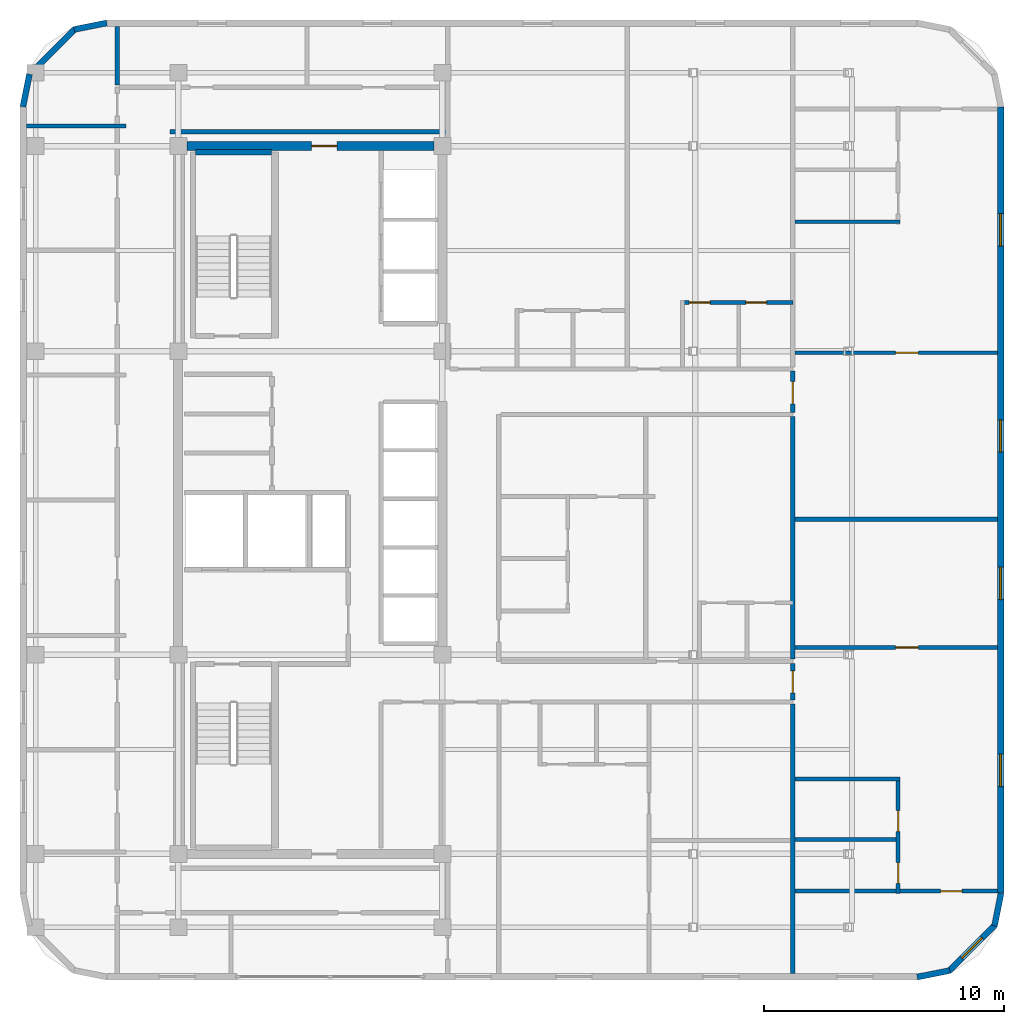
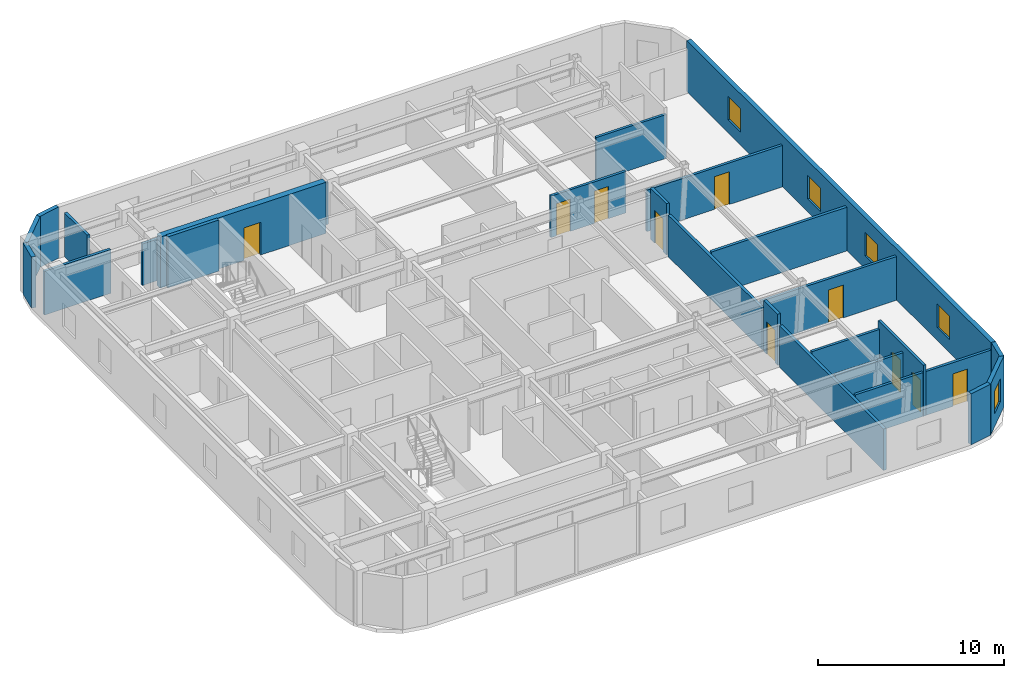
# One storey, part 7 of 9: 25 walls, 10 doors, 5 windows, 15 openings.
"""IFC4 building model written with IfcOpenShell, lengths in metres."""

from ifc_helpers import new_model, si_unit, direction, frame, frame_2d, origin, place, context, subcontext, project, spatial, rectangle, extrude, material, layer, layer_set, type_object, element, fill, save


model = new_model("IFC4")

# Units and contexts
model_context = context("Model", 3, precision=1e-05, world=origin(), true_north=direction((0.0, 1.0)))
body_context = subcontext(model_context, "Body", "Model", "MODEL_VIEW")
ifc_project = project(units=[si_unit("LENGTHUNIT", "METRE"), si_unit("AREAUNIT", "SQUARE_METRE"), si_unit("VOLUMEUNIT", "CUBIC_METRE"), si_unit("PLANEANGLEUNIT", "RADIAN"), si_unit("MASSUNIT", "GRAM", prefix="KILO")], contexts=[model_context])

# Site, building, storey
site_placement = place(None, origin())
site = spatial("IfcSite", under=ifc_project, at=site_placement, CompositionType="ELEMENT")
building_placement = place(site_placement, origin())
building = spatial("IfcBuilding", under=site, at=building_placement, Name="Ochreholt Gables", CompositionType="ELEMENT")
storey_placement = place(building_placement, frame((0.0, 0.0, 162.60009765625)))
storey = spatial("IfcBuildingStorey", under=building, at=storey_placement, Name="L42", CompositionType="ELEMENT", Elevation=162.60009765625)

# Wall, opening, door
ifc_material_1 = material(Name="Concrete 50 MPa", Category="concrete")
ifc_layer_1 = layer(ifc_material_1, 0.3798828125, Name="Concrete 50 MPa")
ifc_layer_set_1 = layer_set([ifc_layer_1], Name="Concrete 50 MPa")
wall_type_1 = type_object("IfcWallType", Name="WALL-CSW-380", PredefinedType="SHEAR", material=ifc_layer_set_1)
wall_1_placement = place(storey_placement, frame((24.550048828125, 38.75, 0.0), z_axis=(0.0, 0.0, 1.0), x_axis=(1.0, 0.0, 0.0)))
wall_1 = element("IfcWall", 1, at=wall_1_placement, inside=storey, type_object=wall_type_1, Name="L42 Core North Shear Wall", PredefinedType="SHEAR", context=body_context, shape_type="SweptSolid", body=[
    extrude(rectangle(XDim=10.300048828125, YDim=0.3798828125, at=frame_2d((5.14990234375, 0.0))), origin(), (0.0, 0.0, 1.0), 3.35986328125),
])
opening_1_placement = place(wall_1_placement, frame((5.199951171875, 0.0, 0.0)))
opening_1 = element("IfcOpeningElement", 2, at=opening_1_placement, cuts=wall_1, Name="Opening D-FLB", PredefinedType="OPENING", context=body_context, shape_type="SweptSolid", body=[
    extrude(rectangle(XDim=1.050048828125, YDim=2.14990234375, at=frame_2d((0.52490234375, 1.074951171875))), frame((0.0, 0.199951171875, 0.0), z_axis=(0.0, -1.0, 0.0), x_axis=(1.0, 0.0, 0.0)), (0.0, 0.0, 1.0), 0.39990234375),
])
ifc_material_2 = material(Name="Hollow Metal Steel", Category="steel")
door_type_1 = type_object("IfcDoorType", Name="DR-INT-FLB1050", OperationType="NOTDEFINED", PredefinedType="DOOR", material=ifc_material_2)
door_1_placement = place(opening_1_placement, frame((1.050048828125, 0.0, 0.0), z_axis=(0.0, 0.0, 1.0), x_axis=(-1.0, 0.0, 0.0)))
door_1 = element("IfcDoor", 3, at=door_1_placement, inside=storey, type_object=door_type_1, Name="L42 Door D-C2CRN-L42", OperationType="SINGLE_SWING_RIGHT", OverallHeight=2.14990234375, OverallWidth=1.050048828125, PredefinedType="DOOR", context=body_context, shape_type="SweptSolid", body=[
    extrude(rectangle(XDim=1.050048828125, YDim=2.14990234375, at=frame_2d((0.52490234375, 1.074951171875))), frame((0.0, 0.02490234375, 0.0), z_axis=(0.0, -1.0, 0.0), x_axis=(1.0, 0.0, 0.0)), (0.0, 0.0, 1.0), 0.050048828125),
])
fill(opening_1, door_1)

# Wall, openings, windows
ifc_material_3 = material(Name="Precast concrete 40 MPa", Category="concrete")
ifc_layer_2 = layer(ifc_material_3, 0.280029296875, Name="Precast concrete 40 MPa")
ifc_layer_set_2 = layer_set([ifc_layer_2], Name="Precast concrete 40 MPa")
wall_type_2 = type_object("IfcWallType", Name="WALL-EXT-280", PredefinedType="SOLIDWALL", material=ifc_layer_set_2)
wall_2_placement = place(storey_placement, frame((58.4599609375, 7.6201171875, 0.0), z_axis=(0.0, 0.0, 1.0), x_axis=(0.0, 1.0, 0.0)))
wall_2 = element("IfcWall", 4, at=wall_2_placement, inside=storey, type_object=wall_type_2, Name="L42 East Exterior Wall", PredefinedType="SOLIDWALL", context=body_context, shape_type="SweptSolid", body=[
    extrude(rectangle(XDim=32.759765625, YDim=0.280029296875, at=frame_2d((16.3798828125, 0.0))), origin(), (0.0, 0.0, 1.0), 3.35986328125),
])
opening_2_placement = place(wall_2_placement, frame((4.440185546875, 0.0, 0.85009765625)))
opening_2 = element("IfcOpeningElement", 5, at=opening_2_placement, cuts=wall_2, Name="Opening WN-8", PredefinedType="OPENING", context=body_context, shape_type="SweptSolid", body=[
    extrude(rectangle(XDim=1.35009765625, YDim=1.550048828125, at=frame_2d((0.675048828125, 0.77490234375))), frame((0.0, 0.14990234375, 0.0), z_axis=(0.0, -1.0, 0.0), x_axis=(1.0, 0.0, 0.0)), (0.0, 0.0, 1.0), 0.300048828125),
])
opening_3_placement = place(wall_2_placement, frame((12.230224609375, 0.0, 0.85009765625)))
opening_3 = element("IfcOpeningElement", 6, at=opening_3_placement, cuts=wall_2, Name="Opening WN-8", PredefinedType="OPENING", context=body_context, shape_type="SweptSolid", body=[
    extrude(rectangle(XDim=1.35009765625, YDim=1.550048828125, at=frame_2d((0.675048828125, 0.77490234375))), frame((0.0, 0.14990234375, 0.0), z_axis=(0.0, -1.0, 0.0), x_axis=(1.0, 0.0, 0.0)), (0.0, 0.0, 1.0), 0.300048828125),
])
opening_4_placement = place(wall_2_placement, frame((18.37255859375, 0.0, 0.85009765625)))
opening_4 = element("IfcOpeningElement", 7, at=opening_4_placement, cuts=wall_2, Name="Opening WN-8", PredefinedType="OPENING", context=body_context, shape_type="SweptSolid", body=[
    extrude(rectangle(XDim=1.35009765625, YDim=1.550048828125, at=frame_2d((0.675048828125, 0.77490234375))), frame((0.0, 0.14990234375, 0.0), z_axis=(0.0, -1.0, 0.0), x_axis=(1.0, 0.0, 0.0)), (0.0, 0.0, 1.0), 0.300048828125),
])
opening_5_placement = place(wall_2_placement, frame((26.962646484375, 0.0, 0.85009765625)))
opening_5 = element("IfcOpeningElement", 8, at=opening_5_placement, cuts=wall_2, Name="Opening WN-8", PredefinedType="OPENING", context=body_context, shape_type="SweptSolid", body=[
    extrude(rectangle(XDim=1.35009765625, YDim=1.550048828125, at=frame_2d((0.675048828125, 0.77490234375))), frame((0.0, 0.14990234375, 0.0), z_axis=(0.0, -1.0, 0.0), x_axis=(1.0, 0.0, 0.0)), (0.0, 0.0, 1.0), 0.300048828125),
])
ifc_material_4 = material(Name="Triple-Glazed Thermally Broken Aluminium Window", Category="aluminium")
window_type_1 = type_object("IfcWindowType", Name="WIN-RES-1350", PartitioningType="SINGLE_PANEL", PredefinedType="WINDOW", material=ifc_material_4)
window_1_placement = place(opening_2_placement, origin())
window_1 = element("IfcWindow", 9, at=window_1_placement, inside=storey, type_object=window_type_1, Name="L42 Window W-EXT-E-L42-1", OverallHeight=1.550048828125, OverallWidth=1.35009765625, PartitioningType="SINGLE_PANEL", PredefinedType="WINDOW", context=body_context, shape_type="SweptSolid", body=[
    extrude(rectangle(XDim=1.35009765625, YDim=1.550048828125, at=frame_2d((0.675048828125, 0.77490234375))), frame((0.0, 0.030029296875, 0.0), z_axis=(0.0, -1.0, 0.0), x_axis=(1.0, 0.0, 0.0)), (0.0, 0.0, 1.0), 0.06005859375),
])
fill(opening_2, window_1)
window_2_placement = place(opening_3_placement, origin())
window_2 = element("IfcWindow", 10, at=window_2_placement, inside=storey, type_object=window_type_1, Name="L42 Window W-EXT-E-L42-2", OverallHeight=1.550048828125, OverallWidth=1.35009765625, PartitioningType="SINGLE_PANEL", PredefinedType="WINDOW", context=body_context, shape_type="SweptSolid", body=[
    extrude(rectangle(XDim=1.35009765625, YDim=1.550048828125, at=frame_2d((0.675048828125, 0.77490234375))), frame((0.0, 0.030029296875, 0.0), z_axis=(0.0, -1.0, 0.0), x_axis=(1.0, 0.0, 0.0)), (0.0, 0.0, 1.0), 0.06005859375),
])
fill(opening_3, window_2)
window_3_placement = place(opening_4_placement, origin())
window_3 = element("IfcWindow", 11, at=window_3_placement, inside=storey, type_object=window_type_1, Name="L42 Window W-EXT-E-L42-3", OverallHeight=1.550048828125, OverallWidth=1.35009765625, PartitioningType="SINGLE_PANEL", PredefinedType="WINDOW", context=body_context, shape_type="SweptSolid", body=[
    extrude(rectangle(XDim=1.35009765625, YDim=1.550048828125, at=frame_2d((0.675048828125, 0.77490234375))), frame((0.0, 0.030029296875, 0.0), z_axis=(0.0, -1.0, 0.0), x_axis=(1.0, 0.0, 0.0)), (0.0, 0.0, 1.0), 0.06005859375),
])
fill(opening_4, window_3)
window_4_placement = place(opening_5_placement, origin())
window_4 = element("IfcWindow", 12, at=window_4_placement, inside=storey, type_object=window_type_1, Name="L42 Window W-EXT-E-L42-4", OverallHeight=1.550048828125, OverallWidth=1.35009765625, PartitioningType="SINGLE_PANEL", PredefinedType="WINDOW", context=body_context, shape_type="SweptSolid", body=[
    extrude(rectangle(XDim=1.35009765625, YDim=1.550048828125, at=frame_2d((0.675048828125, 0.77490234375))), frame((0.0, 0.030029296875, 0.0), z_axis=(0.0, -1.0, 0.0), x_axis=(1.0, 0.0, 0.0)), (0.0, 0.0, 1.0), 0.06005859375),
])
fill(opening_5, window_4)

# Wall
ifc_layer_3 = layer(ifc_material_3, 0.25, Name="Precast concrete 40 MPa")
ifc_layer_set_3 = layer_set([ifc_layer_3], Name="Precast concrete 40 MPa")
wall_type_3 = type_object("IfcWallType", Name="WALL-EXT-CNR", PredefinedType="SOLIDWALL", material=ifc_layer_set_3)
wall_3_placement = place(storey_placement, frame((54.9833984375, 4.124267578125, 0.0), z_axis=(0.0, 0.0, 1.0), x_axis=(0.980809899341, 0.19496651342, 0.0)))
element("IfcWall", 13, at=wall_3_placement, inside=storey, type_object=wall_type_3, Name="L42 Rounded Corner Wall SE-1", PredefinedType="SOLIDWALL", context=body_context, shape_type="SweptSolid", body=[
    extrude(rectangle(XDim=1.388671875, YDim=0.25, at=frame_2d((0.6943359375, 0.0))), origin(), (0.0, 0.0, 1.0), 3.35986328125),
])

# Wall, opening, window
wall_4_placement = place(storey_placement, frame((56.294921875, 4.367919921875, 0.0), z_axis=(0.0, 0.0, 1.0), x_axis=(0.707106781187, 0.707106781187, 0.0)))
wall_4 = element("IfcWall", 14, at=wall_4_placement, inside=storey, type_object=wall_type_3, Name="L42 Rounded Corner Wall SE-2", PredefinedType="SOLIDWALL", context=body_context, shape_type="SweptSolid", body=[
    extrude(rectangle(XDim=2.7392578125, YDim=0.25, at=frame_2d((1.36962890625, 0.0))), origin(), (0.0, 0.0, 1.0), 3.35986328125),
])
opening_6_placement = place(wall_4_placement, frame((0.769775390625, 0.0, 0.85009765625)))
opening_6 = element("IfcOpeningElement", 15, at=opening_6_placement, cuts=wall_4, Name="Opening WN-3", PredefinedType="OPENING", context=body_context, shape_type="SweptSolid", body=[
    extrude(rectangle(XDim=1.199951171875, YDim=1.5, at=frame_2d((0.60009765625, 0.75))), frame((0.0, 0.135009765625, 0.0), z_axis=(0.0, -1.0, 0.0), x_axis=(1.0, 0.0, 0.0)), (0.0, 0.0, 1.0), 0.27001953125),
])
window_type_2 = type_object("IfcWindowType", Name="WIN-RES-1200", PartitioningType="SINGLE_PANEL", PredefinedType="WINDOW", material=ifc_material_4)
window_5_placement = place(opening_6_placement, origin())
window_5 = element("IfcWindow", 16, at=window_5_placement, inside=storey, type_object=window_type_2, Name="L42 Corner Bedroom Window SE", OverallHeight=1.5, OverallWidth=1.199951171875, PartitioningType="SINGLE_PANEL", PredefinedType="WINDOW", context=body_context, shape_type="SweptSolid", body=[
    extrude(rectangle(XDim=1.199951171875, YDim=1.5, at=frame_2d((0.60009765625, 0.75))), frame((0.0, 0.030029296875, 0.0), z_axis=(0.0, -1.0, 0.0), x_axis=(1.0, 0.0, 0.0)), (0.0, 0.0, 1.0), 0.06005859375),
])
fill(opening_6, window_5)

# Walls
for number, where, z_axis, x_axis, name in (
    (17, (58.205078125, 6.25439453125, 0.0), (0.0, 0.0, 1.0), (0.19496651342, 0.980809899341, 0.0), "L42 Rounded Corner Wall SE-3"),
    (18, (21.216552734375, 43.875732421875, 0.0), (0.0, 0.0, 1.0), (-0.980809899341, -0.19496651342, 0.0), "L42 Rounded Corner Wall NW-1"),
):
    element("IfcWall", number, at=place(storey_placement, frame(where, z_axis=z_axis, x_axis=x_axis)), inside=storey, type_object=wall_type_3, Name=name, PredefinedType="SOLIDWALL", context=body_context, shape_type="SweptSolid", body=[
        extrude(rectangle(XDim=1.388671875, YDim=0.25, at=frame_2d((0.6943359375, 0.0))), origin(), (0.0, 0.0, 1.0), 3.35986328125),
    ])
wall_5_placement = place(storey_placement, frame((19.905029296875, 43.632080078125, 0.0), z_axis=(0.0, 0.0, 1.0), x_axis=(-0.707106781187, -0.707106781187, 0.0)))
element("IfcWall", 19, at=wall_5_placement, inside=storey, type_object=wall_type_3, Name="L42 Rounded Corner Wall NW-2", PredefinedType="SOLIDWALL", context=body_context, shape_type="SweptSolid", body=[
    extrude(rectangle(XDim=2.7392578125, YDim=0.25, at=frame_2d((1.36962890625, 0.0))), origin(), (0.0, 0.0, 1.0), 3.35986328125),
])
wall_6_placement = place(storey_placement, frame((17.9951171875, 41.74560546875, 0.0), z_axis=(0.0, 0.0, 1.0), x_axis=(-0.195135625965, -0.9807762678, 0.0)))
element("IfcWall", 20, at=wall_6_placement, inside=storey, type_object=wall_type_3, Name="L42 Rounded Corner Wall NW-3", PredefinedType="SOLIDWALL", context=body_context, shape_type="SweptSolid", body=[
    extrude(rectangle(XDim=1.388671875, YDim=0.25, at=frame_2d((0.6943359375, 0.0))), origin(), (0.0, 0.0, 1.0), 3.35986328125),
])
ifc_material_5 = material(Name="Fire-Rated Gypsum Acoustic Partition", Category="gypsum")
ifc_layer_4 = layer(ifc_material_5, 0.179931640625, Name="Fire-Rated Gypsum Acoustic Partition")
ifc_layer_set_4 = layer_set([ifc_layer_4], Name="Fire-Rated Gypsum Acoustic Partition")
wall_type_4 = type_object("IfcWallType", Name="WALL-INT-CR180", PredefinedType="STANDARD", material=ifc_layer_set_4)
wall_7_placement = place(storey_placement, frame((23.85009765625, 39.35009765625, 0.0), z_axis=(0.0, 0.0, 1.0), x_axis=(1.0, 0.0, 0.0)))
element("IfcWall", 21, at=wall_7_placement, inside=storey, type_object=wall_type_4, Name="L42 Interior Wall WI-C2WCN2-L42", PredefinedType="STANDARD", context=body_context, shape_type="SweptSolid", body=[
    extrude(rectangle(XDim=11.56982421875, YDim=0.179931640625, at=frame_2d((5.784912109375, 0.0))), origin(), (0.0, 0.0, 1.0), 2.72998046875),
])

# Wall, opening, door
wall_8_placement = place(storey_placement, frame((49.800048828125, 15.669921875, 0.0), z_axis=(0.0, 0.0, 1.0), x_axis=(0.0, 1.0, 0.0)))
wall_8 = element("IfcWall", 22, at=wall_8_placement, inside=storey, type_object=wall_type_4, Name="L42 Interior Wall WI-C2SSE-L42", PredefinedType="STANDARD", context=body_context, shape_type="SweptSolid", body=[
    extrude(rectangle(XDim=1.52001953125, YDim=0.179931640625, at=frame_2d((0.760009765625, 0.0))), origin(), (0.0, 0.0, 1.0), 3.35986328125),
])
opening_7_placement = place(wall_8_placement, frame((0.2900390625, 0.0, 0.0)))
opening_7 = element("IfcOpeningElement", 23, at=opening_7_placement, cuts=wall_8, Name="Opening D-UN1", PredefinedType="OPENING", context=body_context, shape_type="SweptSolid", body=[
    extrude(rectangle(XDim=0.919921875, YDim=2.14990234375, at=frame_2d((0.4599609375, 1.074951171875))), frame((0.0, 0.099853515625, 0.0), z_axis=(0.0, -1.0, 0.0), x_axis=(1.0, 0.0, 0.0)), (0.0, 0.0, 1.0), 0.199951171875),
])
ifc_material_6 = material(Name="Engineered Oak Timber", Category="wood")
door_type_2 = type_object("IfcDoorType", Name="DR-INT-UNT920", OperationType="NOTDEFINED", PredefinedType="DOOR", material=ifc_material_6)
door_2_placement = place(opening_7_placement, origin())
door_2 = element("IfcDoor", 24, at=door_2_placement, inside=storey, type_object=door_type_2, Name="L42 Door D-U-L42FES-ENT", OperationType="SINGLE_SWING_LEFT", OverallHeight=2.14990234375, OverallWidth=0.919921875, PredefinedType="DOOR", context=body_context, shape_type="SweptSolid", body=[
    extrude(rectangle(XDim=0.919921875, YDim=2.14990234375, at=frame_2d((0.4599609375, 1.074951171875))), frame((0.0, 0.02490234375, 0.0), z_axis=(0.0, -1.0, 0.0), x_axis=(1.0, 0.0, 0.0)), (0.0, 0.0, 1.0), 0.050048828125),
])
fill(opening_7, door_2)

wall_9_placement = place(storey_placement, frame((49.800048828125, 27.64990234375, 0.0), z_axis=(0.0, 0.0, 1.0), x_axis=(0.0, 1.0, 0.0)))
wall_9 = element("IfcWall", 25, at=wall_9_placement, inside=storey, type_object=wall_type_4, Name="L42 Interior Wall WI-C2SNE-L42", PredefinedType="STANDARD", context=body_context, shape_type="SweptSolid", body=[
    extrude(rectangle(XDim=1.72021484375, YDim=0.179931640625, at=frame_2d((0.860107421875, 0.0))), origin(), (0.0, 0.0, 1.0), 3.35986328125),
])
opening_8_placement = place(wall_9_placement, frame((0.360107421875, 0.0, 0.0)))
opening_8 = element("IfcOpeningElement", 26, at=opening_8_placement, cuts=wall_9, Name="Opening D-UN1", PredefinedType="OPENING", context=body_context, shape_type="SweptSolid", body=[
    extrude(rectangle(XDim=0.919921875, YDim=2.14990234375, at=frame_2d((0.4599609375, 1.074951171875))), frame((0.0, 0.099853515625, 0.0), z_axis=(0.0, -1.0, 0.0), x_axis=(1.0, 0.0, 0.0)), (0.0, 0.0, 1.0), 0.199951171875),
])
door_3_placement = place(opening_8_placement, origin())
door_3 = element("IfcDoor", 27, at=door_3_placement, inside=storey, type_object=door_type_2, Name="L42 Door D-U-L42FEN-ENT", OperationType="SINGLE_SWING_RIGHT", OverallHeight=2.14990234375, OverallWidth=0.919921875, PredefinedType="DOOR", context=body_context, shape_type="SweptSolid", body=[
    extrude(rectangle(XDim=0.919921875, YDim=2.14990234375, at=frame_2d((0.4599609375, 1.074951171875))), frame((0.0, 0.02490234375, 0.0), z_axis=(0.0, -1.0, 0.0), x_axis=(1.0, 0.0, 0.0)), (0.0, 0.0, 1.0), 0.050048828125),
])
fill(opening_8, door_3)

# Walls
ifc_material_7 = material(Name="Double-Stud Acoustic Demising Wall", Category="gypsum")
ifc_layer_5 = layer(ifc_material_7, 0.179931640625, Name="Double-Stud Acoustic Demising Wall")
ifc_layer_set_5 = layer_set([ifc_layer_5], Name="Double-Stud Acoustic Demising Wall")
wall_type_5 = type_object("IfcWallType", Name="WALL-INT-DM180", PredefinedType="PARTITIONING", material=ifc_layer_set_5)
wall_10_placement = place(storey_placement, frame((21.64990234375, 41.2900390625, 0.0), z_axis=(0.0, 0.0, 1.0), x_axis=(0.0, 1.0, 0.0)))
element("IfcWall", 28, at=wall_10_placement, inside=storey, type_object=wall_type_5, Name="L42 Interior Wall WI-C2WWN-L42", PredefinedType="PARTITIONING", context=body_context, shape_type="SweptSolid", body=[
    extrude(rectangle(XDim=2.429931640625, YDim=0.179931640625, at=frame_2d((1.21484375, 0.0))), origin(), (0.0, 0.0, 1.0), 2.87890625),
])
wall_11_placement = place(storey_placement, frame((49.800048828125, 4.280029296875, 0.0), z_axis=(0.0, 0.0, 1.0), x_axis=(0.0, 1.0, 0.0)))
element("IfcWall", 29, at=wall_11_placement, inside=storey, type_object=wall_type_5, Name="L42 Interior Wall WI-C2FEW1-L42", PredefinedType="PARTITIONING", context=body_context, shape_type="SweptSolid", body=[
    extrude(rectangle(XDim=11.2099609375, YDim=0.179931640625, at=frame_2d((5.60498046875, 0.0))), origin(), (0.0, 0.0, 1.0), 2.72998046875),
])
wall_12_placement = place(storey_placement, frame((49.800048828125, 17.3701171875, 0.0), z_axis=(0.0, 0.0, 1.0), x_axis=(0.0, 1.0, 0.0)))
element("IfcWall", 30, at=wall_12_placement, inside=storey, type_object=wall_type_5, Name="L42 Interior Wall WI-C2FEW2-L42", PredefinedType="PARTITIONING", context=body_context, shape_type="SweptSolid", body=[
    extrude(rectangle(XDim=10.099853515625, YDim=0.179931640625, at=frame_2d((5.0498046875, 0.0))), origin(), (0.0, 0.0, 1.0), 2.72998046875),
])
wall_13_placement = place(storey_placement, frame((49.889892578125, 23.199951171875, 0.0), z_axis=(0.0, 0.0, 1.0), x_axis=(1.0, 0.0, 0.0)))
element("IfcWall", 31, at=wall_13_placement, inside=storey, type_object=wall_type_5, Name="L42 Interior Wall WI-C2FED-L42", PredefinedType="PARTITIONING", context=body_context, shape_type="SweptSolid", body=[
    extrude(rectangle(XDim=8.43017578125, YDim=0.179931640625, at=frame_2d((4.215087890625, 0.0))), origin(), (0.0, 0.0, 1.0), 2.87890625),
])

# Wall, openings, doors
ifc_material_8 = material(Name="Moisture-Resistant Plumbing Chase Wall", Category="gypsum")
ifc_layer_6 = layer(ifc_material_8, 0.159912109375, Name="Moisture-Resistant Plumbing Chase Wall")
ifc_layer_set_6 = layer_set([ifc_layer_6], Name="Moisture-Resistant Plumbing Chase Wall")
wall_type_6 = type_object("IfcWallType", Name="WALL-INT-PL160", PredefinedType="PLUMBINGWALL", material=ifc_layer_set_6)
wall_14_placement = place(storey_placement, frame((45.1298828125, 32.22998046875, 0.0), z_axis=(0.0, 0.0, 1.0), x_axis=(1.0, 0.0, 0.0)))
wall_14 = element("IfcWall", 32, at=wall_14_placement, inside=storey, type_object=wall_type_6, Name="L42 Interior Wall WU-L42N2-WY", PredefinedType="PLUMBINGWALL", context=body_context, shape_type="SweptSolid", body=[
    extrude(rectangle(XDim=4.670166015625, YDim=0.159912109375, at=frame_2d((2.3349609375, 0.0))), origin(), (0.0, 0.0, 1.0), 2.72998046875),
])
opening_9_placement = place(wall_14_placement, frame((0.35009765625, 0.0, 0.0)))
opening_9 = element("IfcOpeningElement", 33, at=opening_9_placement, cuts=wall_14, Name="Opening D-GN2", PredefinedType="OPENING", context=body_context, shape_type="SweptSolid", body=[
    extrude(rectangle(XDim=0.8798828125, YDim=2.1201171875, at=frame_2d((0.43994140625, 1.06005859375))), frame((0.0, 0.08984375, 0.0), z_axis=(0.0, -1.0, 0.0), x_axis=(1.0, 0.0, 0.0)), (0.0, 0.0, 1.0), 0.179931640625),
])
opening_10_placement = place(wall_14_placement, frame((2.719970703125, 0.0, 0.0)))
opening_10 = element("IfcOpeningElement", 34, at=opening_10_placement, cuts=wall_14, Name="Opening D-BT1", PredefinedType="OPENING", context=body_context, shape_type="SweptSolid", body=[
    extrude(rectangle(XDim=0.860107421875, YDim=2.1201171875, at=frame_2d((0.43017578125, 1.06005859375))), frame((0.0, 0.08984375, 0.0), z_axis=(0.0, -1.0, 0.0), x_axis=(1.0, 0.0, 0.0)), (0.0, 0.0, 1.0), 0.179931640625),
])
door_type_3 = type_object("IfcDoorType", Name="DR-INT-BTH860", OperationType="NOTDEFINED", PredefinedType="DOOR", material=ifc_material_6)
door_4_placement = place(opening_10_placement, origin())
door_4 = element("IfcDoor", 35, at=door_4_placement, inside=storey, type_object=door_type_3, Name="L42 Door D-U-L42N2-BTH", OperationType="SINGLE_SWING_RIGHT", OverallHeight=2.1201171875, OverallWidth=0.860107421875, PredefinedType="DOOR", context=body_context, shape_type="SweptSolid", body=[
    extrude(rectangle(XDim=0.860107421875, YDim=2.1201171875, at=frame_2d((0.43017578125, 1.06005859375))), frame((0.0, 0.02490234375, 0.0), z_axis=(0.0, -1.0, 0.0), x_axis=(1.0, 0.0, 0.0)), (0.0, 0.0, 1.0), 0.050048828125),
])
fill(opening_10, door_4)
door_type_4 = type_object("IfcDoorType", Name="DR-INT-GEN880", OperationType="NOTDEFINED", PredefinedType="DOOR", material=ifc_material_6)
door_5_placement = place(opening_9_placement, origin())
door_5 = element("IfcDoor", 36, at=door_5_placement, inside=storey, type_object=door_type_4, Name="L42 Door D-U-L42N2-KIT", OperationType="SINGLE_SWING_LEFT", OverallHeight=2.1201171875, OverallWidth=0.8798828125, PredefinedType="DOOR", context=body_context, shape_type="SweptSolid", body=[
    extrude(rectangle(XDim=0.8798828125, YDim=2.1201171875, at=frame_2d((0.43994140625, 1.06005859375))), frame((0.0, 0.02490234375, 0.0), z_axis=(0.0, -1.0, 0.0), x_axis=(1.0, 0.0, 0.0)), (0.0, 0.0, 1.0), 0.050048828125),
])
fill(opening_9, door_5)

# Wall
wall_15_placement = place(storey_placement, frame((49.889892578125, 12.37841796875, 0.0), z_axis=(0.0, 0.0, 1.0), x_axis=(1.0, 0.0, 0.0)))
element("IfcWall", 37, at=wall_15_placement, inside=storey, type_object=wall_type_6, Name="L42 Interior Wall WU-L42FES-FYN", PredefinedType="PLUMBINGWALL", context=body_context, shape_type="SweptSolid", body=[
    extrude(rectangle(XDim=4.380126953125, YDim=0.159912109375, at=frame_2d((2.18994140625, 0.0))), origin(), (0.0, 0.0, 1.0), 2.87890625),
])

# Wall, openings, doors
wall_16_placement = place(storey_placement, frame((54.18994140625, 7.610107421875, 0.0), z_axis=(0.0, 0.0, 1.0), x_axis=(0.0, 1.0, 0.0)))
wall_16 = element("IfcWall", 38, at=wall_16_placement, inside=storey, type_object=wall_type_6, Name="L42 Interior Wall WU-L42FES-WX", PredefinedType="PLUMBINGWALL", context=body_context, shape_type="SweptSolid", body=[
    extrude(rectangle(XDim=4.8583984375, YDim=0.159912109375, at=frame_2d((2.42919921875, 0.0))), origin(), (0.0, 0.0, 1.0), 3.35986328125),
])
opening_11_placement = place(wall_16_placement, frame((0.419921875, 0.0, 0.0)))
opening_11 = element("IfcOpeningElement", 39, at=opening_11_placement, cuts=wall_16, Name="Opening D-BT1", PredefinedType="OPENING", context=body_context, shape_type="SweptSolid", body=[
    extrude(rectangle(XDim=0.860107421875, YDim=2.1201171875, at=frame_2d((0.43017578125, 1.06005859375))), frame((0.0, 0.08984375, 0.0), z_axis=(0.0, -1.0, 0.0), x_axis=(1.0, 0.0, 0.0)), (0.0, 0.0, 1.0), 0.179931640625),
])
opening_12_placement = place(wall_16_placement, frame((2.572021484375, 0.0, 0.0)))
opening_12 = element("IfcOpeningElement", 40, at=opening_12_placement, cuts=wall_16, Name="Opening D-GN2", PredefinedType="OPENING", context=body_context, shape_type="SweptSolid", body=[
    extrude(rectangle(XDim=0.8798828125, YDim=2.1201171875, at=frame_2d((0.43994140625, 1.06005859375))), frame((0.0, 0.08984375, 0.0), z_axis=(0.0, -1.0, 0.0), x_axis=(1.0, 0.0, 0.0)), (0.0, 0.0, 1.0), 0.179931640625),
])
door_6_placement = place(opening_11_placement, origin())
door_6 = element("IfcDoor", 41, at=door_6_placement, inside=storey, type_object=door_type_3, Name="L42 Door D-U-L42FES-BTH", OperationType="SINGLE_SWING_RIGHT", OverallHeight=2.1201171875, OverallWidth=0.860107421875, PredefinedType="DOOR", context=body_context, shape_type="SweptSolid", body=[
    extrude(rectangle(XDim=0.860107421875, YDim=2.1201171875, at=frame_2d((0.43017578125, 1.06005859375))), frame((0.0, 0.02490234375, 0.0), z_axis=(0.0, -1.0, 0.0), x_axis=(1.0, 0.0, 0.0)), (0.0, 0.0, 1.0), 0.050048828125),
])
fill(opening_11, door_6)
door_7_placement = place(opening_12_placement, origin())
door_7 = element("IfcDoor", 42, at=door_7_placement, inside=storey, type_object=door_type_4, Name="L42 Door D-U-L42FES-KIT", OperationType="SINGLE_SWING_LEFT", OverallHeight=2.1201171875, OverallWidth=0.8798828125, PredefinedType="DOOR", context=body_context, shape_type="SweptSolid", body=[
    extrude(rectangle(XDim=0.8798828125, YDim=2.1201171875, at=frame_2d((0.43994140625, 1.06005859375))), frame((0.0, 0.02490234375, 0.0), z_axis=(0.0, -1.0, 0.0), x_axis=(1.0, 0.0, 0.0)), (0.0, 0.0, 1.0), 0.050048828125),
])
fill(opening_12, door_7)

# Walls
wall_17_placement = place(storey_placement, frame((49.889892578125, 9.85205078125, 0.0), z_axis=(0.0, 0.0, 1.0), x_axis=(1.0, 0.0, 0.0)))
element("IfcWall", 43, at=wall_17_placement, inside=storey, type_object=wall_type_6, Name="L42 Interior Wall WU-L42FES-WK", PredefinedType="PLUMBINGWALL", context=body_context, shape_type="SweptSolid", body=[
    extrude(rectangle(XDim=4.22021484375, YDim=0.159912109375, at=frame_2d((2.110107421875, 0.0))), origin(), (0.0, 0.0, 1.0), 2.87890625),
])
wall_18_placement = place(storey_placement, frame((49.889892578125, 35.593017578125, 0.0), z_axis=(0.0, 0.0, 1.0), x_axis=(1.0, 0.0, 0.0)))
element("IfcWall", 44, at=wall_18_placement, inside=storey, type_object=wall_type_6, Name="L42 Interior Wall WU-L42FEN-FYS", PredefinedType="PLUMBINGWALL", context=body_context, shape_type="SweptSolid", body=[
    extrude(rectangle(XDim=4.380126953125, YDim=0.159912109375, at=frame_2d((2.18994140625, 0.0))), origin(), (0.0, 0.0, 1.0), 2.87890625),
])

# Wall, opening, door
ifc_material_9 = material(Name="Gypsum Acoustic Stud Partition", Category="gypsum")
ifc_layer_7 = layer(ifc_material_9, 0.1650390625, Name="Gypsum Acoustic Stud Partition")
ifc_layer_set_7 = layer_set([ifc_layer_7], Name="Gypsum Acoustic Stud Partition")
wall_type_7 = type_object("IfcWallType", Name="WALL-INT-PT165", PredefinedType="PARTITIONING", material=ifc_layer_set_7)
wall_19_placement = place(storey_placement, frame((49.889892578125, 7.699951171875, 0.0), z_axis=(0.0, 0.0, 1.0), x_axis=(1.0, 0.0, 0.0)))
wall_19 = element("IfcWall", 45, at=wall_19_placement, inside=storey, type_object=wall_type_7, Name="L42 Interior Wall WU-L42FES-MN", PredefinedType="PARTITIONING", context=body_context, shape_type="SweptSolid", body=[
    extrude(rectangle(XDim=8.43017578125, YDim=0.1650390625, at=frame_2d((4.215087890625, 0.0))), origin(), (0.0, 0.0, 1.0), 2.87890625),
])
opening_13_placement = place(wall_19_placement, frame((6.070068359375, 0.0, 0.0)))
opening_13 = element("IfcOpeningElement", 46, at=opening_13_placement, cuts=wall_19, Name="Opening D-BD1", PredefinedType="OPENING", context=body_context, shape_type="SweptSolid", body=[
    extrude(rectangle(XDim=0.89990234375, YDim=2.139892578125, at=frame_2d((0.449951171875, 1.06982421875))), frame((0.0, 0.092529296875, 0.0), z_axis=(0.0, -1.0, 0.0), x_axis=(1.0, 0.0, 0.0)), (0.0, 0.0, 1.0), 0.18505859375),
])
door_type_5 = type_object("IfcDoorType", Name="DR-INT-BED900", OperationType="NOTDEFINED", PredefinedType="DOOR", material=ifc_material_6)
door_8_placement = place(opening_13_placement, origin())
door_8 = element("IfcDoor", 47, at=door_8_placement, inside=storey, type_object=door_type_5, Name="L42 Door D-U-L42FES-BD1", OperationType="SINGLE_SWING_RIGHT", OverallHeight=2.139892578125, OverallWidth=0.89990234375, PredefinedType="DOOR", context=body_context, shape_type="SweptSolid", body=[
    extrude(rectangle(XDim=0.89990234375, YDim=2.139892578125, at=frame_2d((0.449951171875, 1.06982421875))), frame((0.0, 0.02490234375, 0.0), z_axis=(0.0, -1.0, 0.0), x_axis=(1.0, 0.0, 0.0)), (0.0, 0.0, 1.0), 0.050048828125),
])
fill(opening_13, door_8)

wall_20_placement = place(storey_placement, frame((49.889892578125, 17.8505859375, 0.0), z_axis=(0.0, 0.0, 1.0), x_axis=(1.0, 0.0, 0.0)))
wall_20 = element("IfcWall", 48, at=wall_20_placement, inside=storey, type_object=wall_type_7, Name="L42 Interior Wall WU-L42FES-DNW", PredefinedType="PARTITIONING", context=body_context, shape_type="SweptSolid", body=[
    extrude(rectangle(XDim=8.43017578125, YDim=0.1650390625, at=frame_2d((4.215087890625, 0.0))), origin(), (0.0, 0.0, 1.0), 2.87890625),
])
opening_14_placement = place(wall_20_placement, frame((4.18994140625, 0.0, 0.0)))
opening_14 = element("IfcOpeningElement", 49, at=opening_14_placement, cuts=wall_20, Name="Opening D-GN1", PredefinedType="OPENING", context=body_context, shape_type="SweptSolid", body=[
    extrude(rectangle(XDim=0.949951171875, YDim=2.14990234375, at=frame_2d((0.47509765625, 1.074951171875))), frame((0.0, 0.092529296875, 0.0), z_axis=(0.0, -1.0, 0.0), x_axis=(1.0, 0.0, 0.0)), (0.0, 0.0, 1.0), 0.18505859375),
])
door_type_6 = type_object("IfcDoorType", Name="DR-INT-GEN950", OperationType="NOTDEFINED", PredefinedType="DOOR", material=ifc_material_6)
door_9_placement = place(opening_14_placement, origin())
door_9 = element("IfcDoor", 50, at=door_9_placement, inside=storey, type_object=door_type_6, Name="L42 Door D-U-L42FES-DIN", OperationType="SINGLE_SWING_RIGHT", OverallHeight=2.14990234375, OverallWidth=0.949951171875, PredefinedType="DOOR", context=body_context, shape_type="SweptSolid", body=[
    extrude(rectangle(XDim=0.949951171875, YDim=2.14990234375, at=frame_2d((0.47509765625, 1.074951171875))), frame((0.0, 0.02490234375, 0.0), z_axis=(0.0, -1.0, 0.0), x_axis=(1.0, 0.0, 0.0)), (0.0, 0.0, 1.0), 0.050048828125),
])
fill(opening_14, door_9)

wall_21_placement = place(storey_placement, frame((49.889892578125, 30.13525390625, 0.0), z_axis=(0.0, 0.0, 1.0), x_axis=(1.0, 0.0, 0.0)))
wall_21 = element("IfcWall", 51, at=wall_21_placement, inside=storey, type_object=wall_type_7, Name="L42 Interior Wall WU-L42FEN-DNW", PredefinedType="PARTITIONING", context=body_context, shape_type="SweptSolid", body=[
    extrude(rectangle(XDim=8.43017578125, YDim=0.1650390625, at=frame_2d((4.215087890625, 0.0))), origin(), (0.0, 0.0, 1.0), 2.72998046875),
])
opening_15_placement = place(wall_21_placement, frame((4.18994140625, 0.0, 0.0)))
opening_15 = element("IfcOpeningElement", 52, at=opening_15_placement, cuts=wall_21, Name="Opening D-GN1", PredefinedType="OPENING", context=body_context, shape_type="SweptSolid", body=[
    extrude(rectangle(XDim=0.949951171875, YDim=2.14990234375, at=frame_2d((0.47509765625, 1.074951171875))), frame((0.0, 0.092529296875, 0.0), z_axis=(0.0, -1.0, 0.0), x_axis=(1.0, 0.0, 0.0)), (0.0, 0.0, 1.0), 0.18505859375),
])
door_10_placement = place(opening_15_placement, origin())
door_10 = element("IfcDoor", 53, at=door_10_placement, inside=storey, type_object=door_type_6, Name="L42 Door D-U-L42FEN-DIN", OperationType="SINGLE_SWING_LEFT", OverallHeight=2.14990234375, OverallWidth=0.949951171875, PredefinedType="DOOR", context=body_context, shape_type="SweptSolid", body=[
    extrude(rectangle(XDim=0.949951171875, YDim=2.14990234375, at=frame_2d((0.47509765625, 1.074951171875))), frame((0.0, 0.02490234375, 0.0), z_axis=(0.0, -1.0, 0.0), x_axis=(1.0, 0.0, 0.0)), (0.0, 0.0, 1.0), 0.050048828125),
])
fill(opening_15, door_10)

# Walls
wall_22_placement = place(storey_placement, frame((17.8798828125, 39.574951171875, 0.0), z_axis=(0.0, 0.0, 1.0), x_axis=(1.0, 0.0, 0.0)))
element("IfcWall", 54, at=wall_22_placement, inside=storey, type_object=wall_type_7, Name="L42 Interior Wall WU-L42W4-SDV", PredefinedType="PARTITIONING", context=body_context, shape_type="SweptSolid", body=[
    extrude(rectangle(XDim=4.130126953125, YDim=0.1650390625, at=frame_2d((2.06494140625, 0.0))), origin(), (0.0, 0.0, 1.0), 2.87890625),
])
ifc_layer_8 = layer(ifc_material_1, 0.219970703125, Name="Concrete 50 MPa")
ifc_layer_set_8 = layer_set([ifc_layer_8], Name="Concrete 50 MPa")
wall_type_8 = type_object("IfcWallType", Name="WALL-STW-220", PredefinedType="SHEAR", material=ifc_layer_set_8)
wall_23_placement = place(storey_placement, frame((24.919921875, 38.489990234375, 0.0), z_axis=(0.0, 0.0, 1.0), x_axis=(1.0, 0.0, 0.0)))
element("IfcWall", 55, at=wall_23_placement, inside=storey, type_object=wall_type_8, Name="L42 Exit Stair 2 North Wall", PredefinedType="SHEAR", context=body_context, shape_type="SweptSolid", body=[
    extrude(rectangle(XDim=3.16015625, YDim=0.219970703125, at=frame_2d((1.580078125, 0.0))), origin(), (0.0, 0.0, 1.0), 3.35986328125),
])

save(model, "model.ifc")
